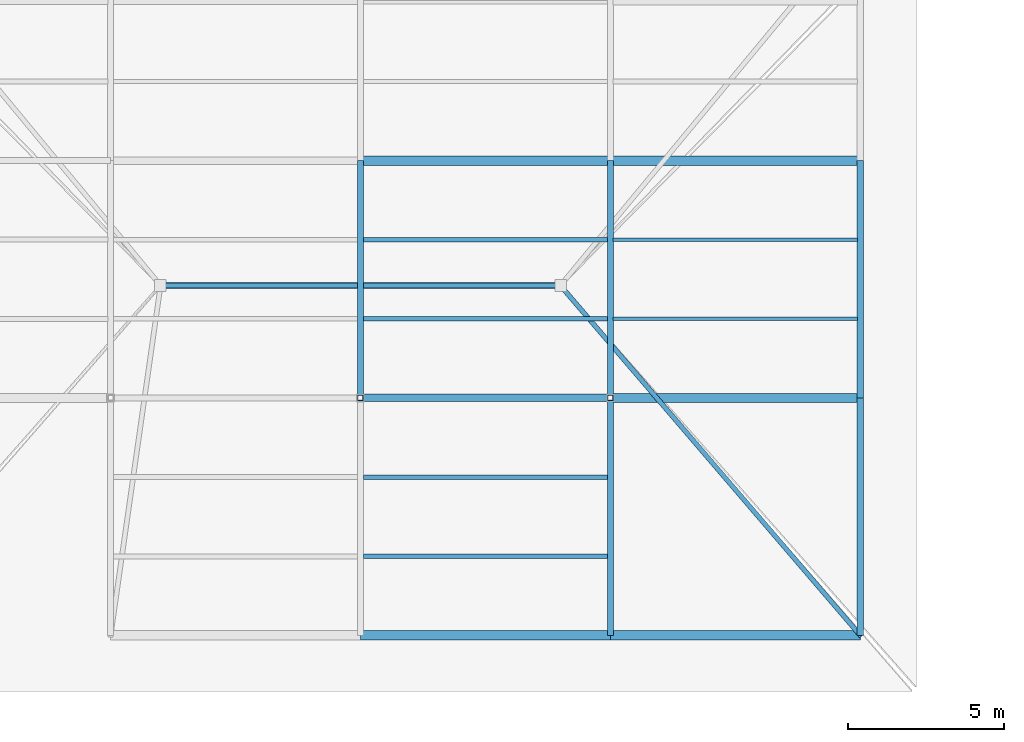
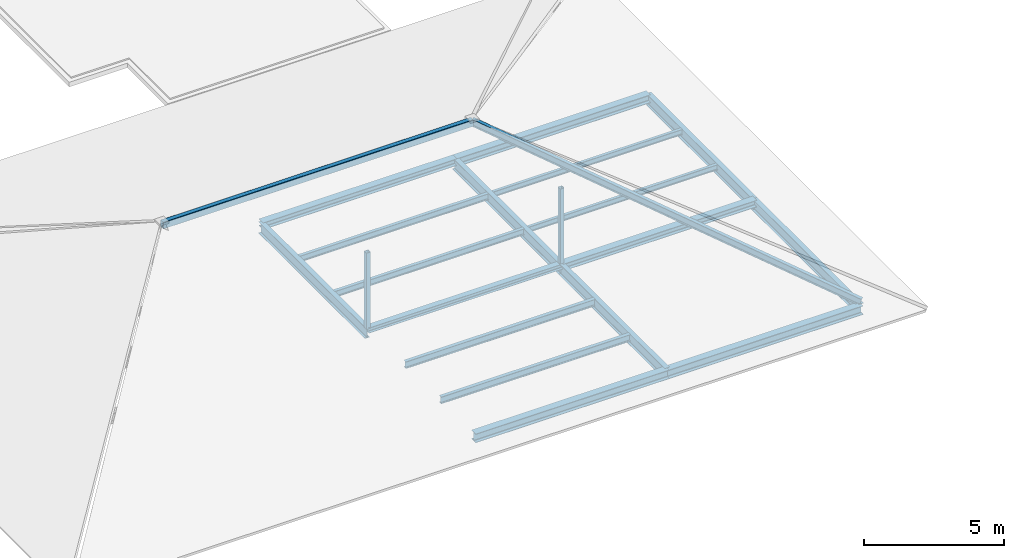
# One storey, part 19 of 120: 17 beams, 4 members.
"""IFC4 building model written with IfcOpenShell, lengths in metres."""

from ifc_helpers import new_model, si_unit, direction, frame, origin, origin_2d, place, context, subcontext, project, spatial, hollow_rectangle, i_section, extrude, material, material_profile, profile_set, type_object, element, save


model = new_model("IFC4")

# Units and contexts
model_context = context("Model", 3, precision=1e-05, world=origin(), true_north=direction((0.0, 1.0)))
body_context = subcontext(model_context, "Body", "Model", "MODEL_VIEW")
ifc_project = project(units=[si_unit("LENGTHUNIT", "METRE"), si_unit("AREAUNIT", "SQUARE_METRE"), si_unit("VOLUMEUNIT", "CUBIC_METRE"), si_unit("PLANEANGLEUNIT", "RADIAN"), si_unit("MASSUNIT", "GRAM", prefix="KILO")], contexts=[model_context])

# Site, building, storey
site_placement = place(None, origin())
site = spatial("IfcSite", under=ifc_project, at=site_placement, CompositionType="ELEMENT")
building_placement = place(site_placement, origin())
building = spatial("IfcBuilding", under=site, at=building_placement, Name="Vekula Escarpment Museum", CompositionType="ELEMENT")
storey_placement = place(building_placement, frame((0.0, 0.0, 13.199951171875)))
storey = spatial("IfcBuildingStorey", under=building, at=storey_placement, Name="L03", CompositionType="ELEMENT", Elevation=13.199951171875)

# Beams
ifc_material_1 = material(Name="Steel S355", Category="steel")
ifc_material_profile_1 = material_profile(ifc_material_1, i_section(OverallWidth=0.300048828125, OverallDepth=0.300048828125, WebThickness=0.010986328125, FlangeThickness=0.01904296875, FilletRadius=0.027099609375, at=origin_2d()), Name="HEB 300")
ifc_profile_set_1 = profile_set([ifc_material_profile_1], Name="Steel S355")
beam_type_1 = type_object("IfcBeamType", Name="BM-GIRD-HEB300", PredefinedType="BEAM", material=ifc_profile_set_1)
for number, where, z_axis, x_axis, name in (
    (1, (48.0, 7.60009765625, -0.39990234375), (1.0, 0.0, 0.0), (0.0, 1.0, 0.0), "Beam X L03 1282"),
    (2, (40.0, 15.199951171875, -0.39990234375), (1.0, 0.0, 0.0), (0.0, 1.0, 0.0), "Beam X L03 1294"),
):
    element("IfcBeam", number, at=place(storey_placement, frame(where, z_axis=z_axis, x_axis=x_axis)), inside=storey, type_object=beam_type_1, Name=name, PredefinedType="BEAM", context=body_context, shape_type="SweptSolid", body=[
        extrude(i_section(OverallWidth=0.300048828125, OverallDepth=0.300048828125, WebThickness=0.010986328125, FlangeThickness=0.01904296875, FilletRadius=0.027099609375, at=origin_2d()), origin(), (0.0, 0.0, 1.0), 8.0),
    ])
ifc_material_2 = material(Name="Steel S355", Category="steel")
ifc_material_profile_2 = material_profile(ifc_material_2, i_section(OverallWidth=0.300048828125, OverallDepth=0.360107421875, WebThickness=0.012451171875, FlangeThickness=0.0224609375, FilletRadius=0.027099609375, at=origin_2d()), Name="HEB 360")
ifc_profile_set_2 = profile_set([ifc_material_profile_2], Name="Steel S355")
beam_type_2 = type_object("IfcBeamType", Name="BM-GIRD-HEB360", PredefinedType="BEAM", material=ifc_profile_set_2)
beam_1_placement = place(storey_placement, frame((48.0, 15.199951171875, -0.429931640625), z_axis=(1.0, 0.0, 0.0), x_axis=(0.0, 1.0, 0.0)))
element("IfcBeam", 3, at=beam_1_placement, inside=storey, type_object=beam_type_2, Name="Beam X L03 1295", PredefinedType="BEAM", context=body_context, shape_type="SweptSolid", body=[
    extrude(i_section(OverallWidth=0.300048828125, OverallDepth=0.360107421875, WebThickness=0.012451171875, FlangeThickness=0.0224609375, FilletRadius=0.027099609375, at=origin_2d()), origin(), (0.0, 0.0, 1.0), 8.0),
])
ifc_material_3 = material(Name="Steel S355", Category="steel")
ifc_material_profile_3 = material_profile(ifc_material_3, i_section(OverallWidth=0.199951171875, OverallDepth=0.5, WebThickness=0.01025390625, FlangeThickness=0.01611328125, FilletRadius=0.02099609375, at=origin_2d()), Name="IPE 500")
ifc_profile_set_3 = profile_set([ifc_material_profile_3], Name="Steel S355")
beam_type_3 = type_object("IfcBeamType", Name="BM-GIRD-IPE500", PredefinedType="BEAM", material=ifc_profile_set_3)
beam_2_placement = place(storey_placement, frame((40.0, 7.60009765625, -0.5), z_axis=(0.0, 1.0, 0.0), x_axis=(-1.0, 0.0, 0.0)))
element("IfcBeam", 4, at=beam_2_placement, inside=storey, type_object=beam_type_3, Name="Beam Y L03 1513", PredefinedType="BEAM", context=body_context, shape_type="SweptSolid", body=[
    extrude(i_section(OverallWidth=0.199951171875, OverallDepth=0.5, WebThickness=0.01025390625, FlangeThickness=0.01611328125, FilletRadius=0.02099609375, at=origin_2d()), origin(), (0.0, 0.0, 1.0), 7.599853515625),
])
beam_3_placement = place(storey_placement, frame((48.0, 0.0, -0.5), z_axis=(0.0, 1.0, 0.0), x_axis=(-1.0, 0.0, 0.0)))
element("IfcBeam", 5, at=beam_3_placement, inside=storey, type_object=beam_type_3, Name="Beam Y L03 1529", PredefinedType="BEAM", context=body_context, shape_type="SweptSolid", body=[
    extrude(i_section(OverallWidth=0.199951171875, OverallDepth=0.5, WebThickness=0.01025390625, FlangeThickness=0.01611328125, FilletRadius=0.02099609375, at=origin_2d()), origin(), (0.0, 0.0, 1.0), 7.60009765625),
])
beam_4_placement = place(storey_placement, frame((48.0, 7.60009765625, -0.5), z_axis=(0.0, 1.0, 0.0), x_axis=(-1.0, 0.0, 0.0)))
element("IfcBeam", 6, at=beam_4_placement, inside=storey, type_object=beam_type_3, Name="Beam Y L03 1530", PredefinedType="BEAM", context=body_context, shape_type="SweptSolid", body=[
    extrude(i_section(OverallWidth=0.199951171875, OverallDepth=0.5, WebThickness=0.01025390625, FlangeThickness=0.01611328125, FilletRadius=0.02099609375, at=origin_2d()), origin(), (0.0, 0.0, 1.0), 7.599853515625),
])
beam_5_placement = place(storey_placement, frame((56.0, 0.0, -0.5), z_axis=(0.0, 1.0, 0.0), x_axis=(-1.0, 0.0, 0.0)))
element("IfcBeam", 7, at=beam_5_placement, inside=storey, type_object=beam_type_3, Name="Beam Y L03 1547", PredefinedType="BEAM", context=body_context, shape_type="SweptSolid", body=[
    extrude(i_section(OverallWidth=0.199951171875, OverallDepth=0.5, WebThickness=0.01025390625, FlangeThickness=0.01611328125, FilletRadius=0.02099609375, at=origin_2d()), origin(), (0.0, 0.0, 1.0), 7.60009765625),
])
beam_6_placement = place(storey_placement, frame((56.0, 7.60009765625, -0.5), z_axis=(0.0, 1.0, 0.0), x_axis=(-1.0, 0.0, 0.0)))
element("IfcBeam", 8, at=beam_6_placement, inside=storey, type_object=beam_type_3, Name="Beam Y L03 1548", PredefinedType="BEAM", context=body_context, shape_type="SweptSolid", body=[
    extrude(i_section(OverallWidth=0.199951171875, OverallDepth=0.5, WebThickness=0.01025390625, FlangeThickness=0.01611328125, FilletRadius=0.02099609375, at=origin_2d()), origin(), (0.0, 0.0, 1.0), 7.599853515625),
])
ifc_material_4 = material(Name="Steel S355", Category="steel")
ifc_material_profile_4 = material_profile(ifc_material_4, i_section(OverallWidth=0.1201171875, OverallDepth=0.239990234375, WebThickness=0.006103515625, FlangeThickness=0.009765625, FilletRadius=0.014892578125, at=origin_2d()), Name="IPE 240")
ifc_profile_set_4 = profile_set([ifc_material_profile_4], Name="Steel S355")
beam_type_4 = type_object("IfcBeamType", Name="BM-JST-IPE240", PredefinedType="JOIST", material=ifc_profile_set_4)
for number, where, z_axis, x_axis, name in (
    (9, (48.090087890625, 10.13330078125, -0.369873046875), (1.0, 0.0, 0.0), (0.0, 1.0, 0.0), "Secondary Joist L03 0974"),
    (10, (48.090087890625, 12.666748046875, -0.369873046875), (1.0, 0.0, 0.0), (0.0, 1.0, 0.0), "Secondary Joist L03 0975"),
):
    element("IfcBeam", number, at=place(storey_placement, frame(where, z_axis=z_axis, x_axis=x_axis)), inside=storey, type_object=beam_type_4, Name=name, PredefinedType="JOIST", context=body_context, shape_type="SweptSolid", body=[
        extrude(i_section(OverallWidth=0.1201171875, OverallDepth=0.239990234375, WebThickness=0.006103515625, FlangeThickness=0.009765625, FilletRadius=0.014892578125, at=origin_2d()), origin(), (0.0, 0.0, 1.0), 7.81982421875),
    ])
ifc_material_5 = material(Name="Steel S355", Category="steel")
ifc_material_profile_5 = material_profile(ifc_material_5, i_section(OverallWidth=0.135009765625, OverallDepth=0.27001953125, WebThickness=0.006591796875, FlangeThickness=0.01025390625, FilletRadius=0.014892578125, at=origin_2d()), Name="IPE 270")
ifc_profile_set_5 = profile_set([ifc_material_profile_5], Name="Steel S355")
beam_type_5 = type_object("IfcBeamType", Name="BM-JST-IPE270", PredefinedType="JOIST", material=ifc_profile_set_5)
for number, where, z_axis, x_axis, name in (
    (11, (40.090087890625, 10.13330078125, -0.385009765625), (1.0, 0.0, 0.0), (0.0, 1.0, 0.0), "Secondary Joist L03 0946"),
    (12, (40.090087890625, 12.666748046875, -0.385009765625), (1.0, 0.0, 0.0), (0.0, 1.0, 0.0), "Secondary Joist L03 0947"),
):
    element("IfcBeam", number, at=place(storey_placement, frame(where, z_axis=z_axis, x_axis=x_axis)), inside=storey, type_object=beam_type_5, Name=name, PredefinedType="JOIST", context=body_context, shape_type="SweptSolid", body=[
        extrude(i_section(OverallWidth=0.135009765625, OverallDepth=0.27001953125, WebThickness=0.006591796875, FlangeThickness=0.01025390625, FilletRadius=0.014892578125, at=origin_2d()), origin(), (0.0, 0.0, 1.0), 7.81982421875),
    ])
ifc_material_6 = material(Name="Steel S355", Category="steel")
ifc_material_profile_6 = material_profile(ifc_material_6, i_section(OverallWidth=0.14990234375, OverallDepth=0.300048828125, WebThickness=0.007080078125, FlangeThickness=0.0107421875, FilletRadius=0.014892578125, at=origin_2d()), Name="IPE 300")
ifc_profile_set_6 = profile_set([ifc_material_profile_6], Name="Steel S355")
beam_type_6 = type_object("IfcBeamType", Name="BM-JST-IPE300", PredefinedType="JOIST", material=ifc_profile_set_6)
for number, where, z_axis, x_axis, name in (
    (13, (40.090087890625, 2.533203125, -0.39990234375), (1.0, 0.0, 0.0), (0.0, 1.0, 0.0), "Secondary Joist L03 0944"),
    (14, (40.090087890625, 5.066650390625, -0.39990234375), (1.0, 0.0, 0.0), (0.0, 1.0, 0.0), "Secondary Joist L03 0945"),
):
    element("IfcBeam", number, at=place(storey_placement, frame(where, z_axis=z_axis, x_axis=x_axis)), inside=storey, type_object=beam_type_6, Name=name, PredefinedType="JOIST", context=body_context, shape_type="SweptSolid", body=[
        extrude(i_section(OverallWidth=0.14990234375, OverallDepth=0.300048828125, WebThickness=0.007080078125, FlangeThickness=0.0107421875, FilletRadius=0.014892578125, at=origin_2d()), origin(), (0.0, 0.0, 1.0), 7.81982421875),
    ])
ifc_material_7 = material(Name="Steel S355", Category="steel")
ifc_material_profile_7 = material_profile(ifc_material_7, i_section(OverallWidth=0.239990234375, OverallDepth=0.22998046875, WebThickness=0.007568359375, FlangeThickness=0.011962890625, FilletRadius=0.02099609375, at=origin_2d()), Name="HEA 240")
ifc_profile_set_7 = profile_set([ifc_material_profile_7], Name="Steel S355")
beam_type_7 = type_object("IfcBeamType", Name="BM-SPAN-HEA240", PredefinedType="SPANDREL", material=ifc_profile_set_7)
beam_7_placement = place(storey_placement, frame((40.0, 7.60009765625, -0.364990234375), z_axis=(1.0, 0.0, 0.0), x_axis=(0.0, 1.0, 0.0)))
element("IfcBeam", 15, at=beam_7_placement, inside=storey, type_object=beam_type_7, Name="Beam X L03 1281", PredefinedType="SPANDREL", context=body_context, shape_type="SweptSolid", body=[
    extrude(i_section(OverallWidth=0.239990234375, OverallDepth=0.22998046875, WebThickness=0.007568359375, FlangeThickness=0.011962890625, FilletRadius=0.02099609375, at=origin_2d()), origin(), (0.0, 0.0, 1.0), 8.0),
])
ifc_material_8 = material(Name="Steel S355", Category="steel")
ifc_material_profile_8 = material_profile(ifc_material_8, i_section(OverallWidth=0.300048828125, OverallDepth=0.389892578125, WebThickness=0.010986328125, FlangeThickness=0.01904296875, FilletRadius=0.027099609375, at=origin_2d()), Name="HEA 400")
ifc_profile_set_8 = profile_set([ifc_material_profile_8], Name="Steel S355")
beam_type_8 = type_object("IfcBeamType", Name="BM-SPAN-HEA400", PredefinedType="SPANDREL", material=ifc_profile_set_8)
for number, where, z_axis, x_axis, name in (
    (16, (40.0, 0.0, -0.445068359375), (1.0, 0.0, 0.0), (0.0, 1.0, 0.0), "Beam X L03 1270"),
    (17, (48.0, 0.0, -0.445068359375), (1.0, 0.0, 0.0), (0.0, 1.0, 0.0), "Beam X L03 1271"),
):
    element("IfcBeam", number, at=place(storey_placement, frame(where, z_axis=z_axis, x_axis=x_axis)), inside=storey, type_object=beam_type_8, Name=name, PredefinedType="SPANDREL", context=body_context, shape_type="SweptSolid", body=[
        extrude(i_section(OverallWidth=0.300048828125, OverallDepth=0.389892578125, WebThickness=0.010986328125, FlangeThickness=0.01904296875, FilletRadius=0.027099609375, at=origin_2d()), origin(), (0.0, 0.0, 1.0), 8.0),
    ])

# Members
ifc_material_9 = material(Name="Steel S355", Category="steel")
ifc_material_profile_9 = material_profile(ifc_material_9, hollow_rectangle(XDim=0.199951171875, YDim=0.300048828125, WallThickness=0.011962890625, InnerFilletRadius=0.011962890625, OuterFilletRadius=0.02392578125, at=origin_2d()), Name="RHS 300x200x12")
ifc_profile_set_9 = profile_set([ifc_material_profile_9], Name="Steel S355")
member_type_1 = type_object("IfcMemberType", Name="MB-CHORD-RHS300", PredefinedType="CHORD", material=ifc_profile_set_9)
member_1_placement = place(storey_placement, frame((33.60009765625, 11.199951171875, 4.260009765625), z_axis=(1.0, 0.0, 0.0), x_axis=(0.0, 1.0, 0.0)))
element("IfcMember", 18, at=member_1_placement, inside=storey, type_object=member_type_1, Name="Auditorium Roof Ridge Chord", PredefinedType="CHORD", context=body_context, shape_type="SweptSolid", body=[
    extrude(hollow_rectangle(XDim=0.199951171875, YDim=0.300048828125, WallThickness=0.011962890625, InnerFilletRadius=0.011962890625, OuterFilletRadius=0.02392578125, at=origin_2d()), origin(), (0.0, 0.0, 1.0), 12.7998046875),
])
ifc_material_10 = material(Name="Steel S355", Category="steel")
ifc_material_profile_10 = material_profile(ifc_material_10, i_section(OverallWidth=0.14990234375, OverallDepth=0.300048828125, WebThickness=0.007080078125, FlangeThickness=0.0107421875, FilletRadius=0.014892578125, at=origin_2d()), Name="IPE 300")
ifc_profile_set_10 = profile_set([ifc_material_profile_10], Name="Steel S355")
member_type_2 = type_object("IfcMemberType", Name="MB-HIP-RAFTER", PredefinedType="CHORD", material=ifc_profile_set_10)
member_2_placement = place(storey_placement, frame((56.0, 0.0, -0.14990234375), z_axis=(-0.623297455593, 0.727169797451, 0.287618440866), x_axis=(-0.759251929277, -0.650796825352, 0.0)))
element("IfcMember", 19, at=member_2_placement, inside=storey, type_object=member_type_2, Name="Auditorium Hip Rafter 2", PredefinedType="CHORD", context=body_context, shape_type="SweptSolid", body=[
    extrude(i_section(OverallWidth=0.14990234375, OverallDepth=0.300048828125, WebThickness=0.007080078125, FlangeThickness=0.0107421875, FilletRadius=0.014892578125, at=origin_2d()), origin(), (0.0, 0.0, 1.0), 15.402099609375),
])
ifc_material_11 = material(Name="Steel S355", Category="steel")
ifc_material_profile_11 = material_profile(ifc_material_11, hollow_rectangle(XDim=0.179931640625, YDim=0.179931640625, WallThickness=0.010009765625, InnerFilletRadius=0.010009765625, OuterFilletRadius=0.02001953125, at=origin_2d()), Name="SHS 180x180x10")
ifc_profile_set_11 = profile_set([ifc_material_profile_11], Name="Steel S355")
member_type_3 = type_object("IfcMemberType", Name="MB-POST-SHS180", PredefinedType="STRUT", material=ifc_profile_set_11)
for number, where, z_axis, x_axis, name in (
    (20, (40.0, 7.60009765625, -0.300048828125), (0.0, 0.0, 1.0), (1.0, 0.0, 0.0), "Auditorium Roof Truss King Post 40"),
    (21, (48.0, 7.60009765625, -0.300048828125), (0.0, 0.0, 1.0), (1.0, 0.0, 0.0), "Auditorium Roof Truss King Post 48"),
):
    element("IfcMember", number, at=place(storey_placement, frame(where, z_axis=z_axis, x_axis=x_axis)), inside=storey, type_object=member_type_3, Name=name, PredefinedType="STRUT", context=body_context, shape_type="SweptSolid", body=[
        extrude(hollow_rectangle(XDim=0.179931640625, YDim=0.179931640625, WallThickness=0.010009765625, InnerFilletRadius=0.010009765625, OuterFilletRadius=0.02001953125, at=origin_2d()), origin(), (0.0, 0.0, 1.0), 3.320068359375),
    ])

save(model, "model.ifc")
